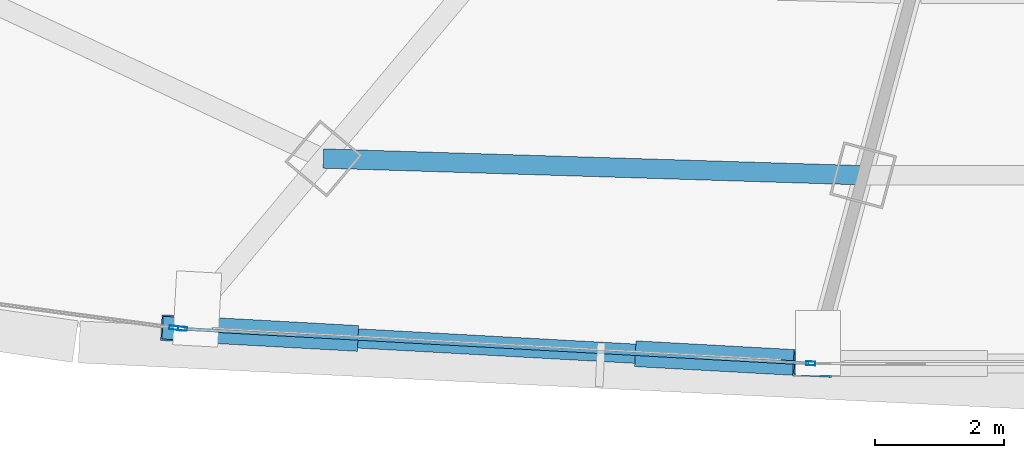
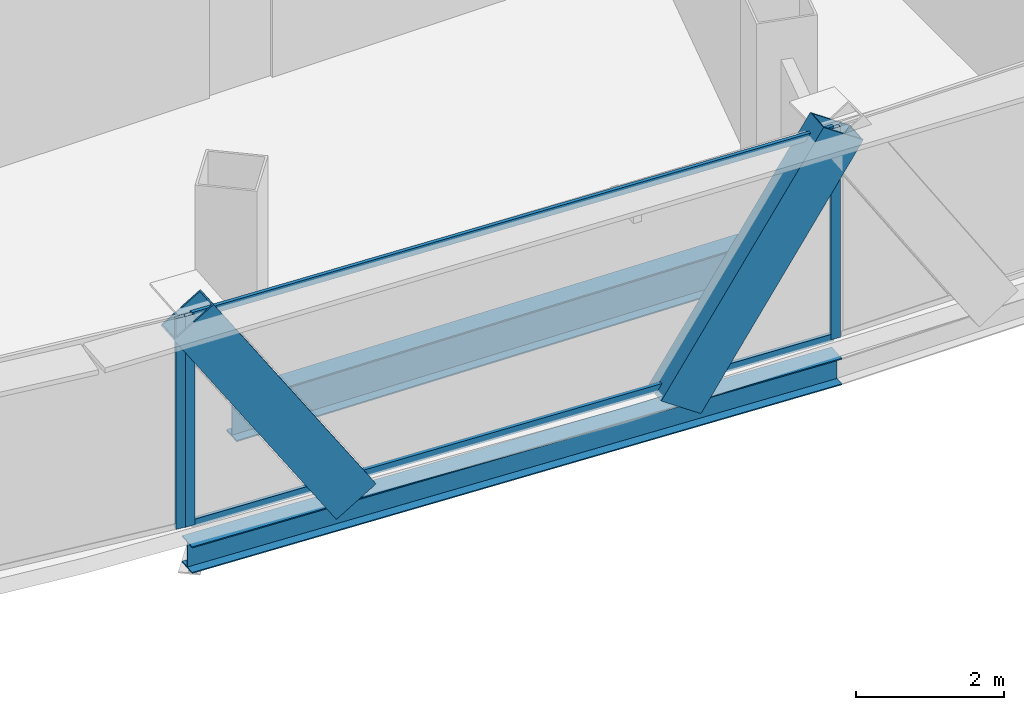
# One storey, part 6 of 35: 7 members, 2 beams, 2 elements without a shape of their own.
"""IFC4 building model written with IfcOpenShell, lengths in metres."""

from ifc_helpers import new_model, si_unit, direction, frame, origin, origin_2d, place, context, subcontext, project, spatial, hollow_rectangle, i_section, extrude, source, transform, mapped, material, layer, layer_set, material_profile, profile_set, type_object, element, aggregate, save


model = new_model("IFC4")

# Units and contexts
model_context = context("Model", 3, precision=1e-05, world=origin(), true_north=direction((0.0, 1.0)))
body_context = subcontext(model_context, "Body", "Model", "MODEL_VIEW")
ifc_project = project(units=[si_unit("LENGTHUNIT", "METRE"), si_unit("AREAUNIT", "SQUARE_METRE"), si_unit("VOLUMEUNIT", "CUBIC_METRE"), si_unit("PLANEANGLEUNIT", "RADIAN"), si_unit("MASSUNIT", "GRAM", prefix="KILO"), si_unit("THERMODYNAMICTEMPERATUREUNIT", "KELVIN"), si_unit("POWERUNIT", "WATT")], contexts=[model_context])

# Site, building, storey
site_placement = place(None, origin())
site = spatial("IfcSite", under=ifc_project, at=site_placement, CompositionType="ELEMENT")
building_placement = place(site_placement, origin())
building = spatial("IfcBuilding", under=site, at=building_placement, Name="Yunzhuo Pagoda Commons", CompositionType="ELEMENT")
storey_placement = place(building_placement, frame((0.0, 0.0, 237.070068359375)))
storey = spatial("IfcBuildingStorey", under=building, at=storey_placement, Name="L59", CompositionType="ELEMENT", Elevation=237.070068359375)

# Beams
ifc_material_1 = material(Name="Structural steel Q355B", Category="steel")
ifc_material_profile_1 = material_profile(ifc_material_1, i_section(OverallWidth=0.300048828125, OverallDepth=0.43994140625, WebThickness=0.010986328125, FlangeThickness=0.01806640625, at=origin_2d()), Name="Structural steel Q355B")
ifc_profile_set_1 = profile_set([ifc_material_profile_1], Name="Structural steel Q355B")
beam_type_1 = type_object("IfcBeamType", Name="B-SP2 Beam HM 440x300x11x18", PredefinedType="BEAM", material=ifc_profile_set_1)
shared_shape_1 = source(origin(), body_context, "Body", "SweptSolid", [
    extrude(i_section(OverallWidth=0.300048828125, OverallDepth=0.43994140625, WebThickness=0.010986328125, FlangeThickness=0.01806640625, at=origin_2d()), origin(), (0.0, 0.0, 1.0), 9.823486328125),
])
beam_1_placement = place(storey_placement, frame((33.377197265625, 16.273681640625, -0.47998046875), z_axis=(0.998486395032, -0.054999263048, 0.0), x_axis=(0.054999263048, 0.998486395032, 0.0)))
element("IfcBeam", 1, at=beam_1_placement, inside=storey, type_object=beam_type_1, Name="L59 facade edge spandrel beam F1.1", PredefinedType="BEAM", context=body_context, shape_type="MappedRepresentation", body=[
    mapped(shared_shape_1, transform((0.0, 0.0, 0.0), scale=1.0)),
])
ifc_material_profile_2 = material_profile(ifc_material_1, i_section(OverallWidth=0.300048828125, OverallDepth=0.64990234375, WebThickness=0.012939453125, FlangeThickness=0.02197265625, at=origin_2d()), Name="Structural steel Q355B")
ifc_profile_set_2 = profile_set([ifc_material_profile_2], Name="Structural steel Q355B")
beam_type_2 = type_object("IfcBeamType", Name="B-RG2 Beam HN 650x300x13x22", PredefinedType="BEAM", material=ifc_profile_set_2)
shared_shape_2 = source(origin(), body_context, "Body", "SweptSolid", [
    extrude(i_section(OverallWidth=0.300048828125, OverallDepth=0.64990234375, WebThickness=0.012939453125, FlangeThickness=0.02197265625, at=origin_2d()), origin(), (0.0, 0.0, 1.0), 8.37939453125),
])
beam_2_placement = place(storey_placement, frame((35.593017578125, 18.913818359375, -0.5849609375), z_axis=(0.999519382133, -0.031000076447, 0.0), x_axis=(0.031000076447, 0.999519382133, 0.0)))
element("IfcBeam", 2, at=beam_2_placement, inside=storey, type_object=beam_type_2, Name="L59 column-ring beam 1", PredefinedType="BEAM", context=body_context, shape_type="MappedRepresentation", body=[
    mapped(shared_shape_2, transform((0.0, 0.0, 0.0), scale=1.0)),
])

# Members
ifc_material_profile_3 = material_profile(ifc_material_1, hollow_rectangle(XDim=0.39990234375, YDim=0.719970703125, WallThickness=0.02392578125, at=origin_2d()), Name="Structural steel Q355B")
ifc_profile_set_3 = profile_set([ifc_material_profile_3], Name="Structural steel Q355B")
member_type_1 = type_object("IfcMemberType", Name="M-DL2 Brace BOX 720x400x24", PredefinedType="BRACE", material=ifc_profile_set_3)
shared_shape_3 = source(origin(), body_context, "Body", "SweptSolid", [
    extrude(hollow_rectangle(XDim=0.39990234375, YDim=0.719970703125, WallThickness=0.02392578125, at=origin_2d()), origin(), (0.0, 0.0, 1.0), 4.4658203125),
])
for number, where, z_axis, x_axis, name in (
    (3, (35.829345703125, 16.138427734375, -0.260009765625), (-0.549085219878, 0.030286062506, 0.835217442184), (-0.05507359548, -0.998482297831, 0.0), "L59 facade diamond brace F1.1L"),
    (4, (40.733642578125, 15.868408203125, -0.260009765625), (0.549086128168, -0.030231444532, 0.835218823791), (0.054974485367, 0.998487759544, 0.0), "L59 facade diamond brace F1.1R"),
):
    element("IfcMember", number, at=place(storey_placement, frame(where, z_axis=z_axis, x_axis=x_axis)), inside=storey, type_object=member_type_1, Name=name, PredefinedType="BRACE", context=body_context, shape_type="MappedRepresentation", body=[
        mapped(shared_shape_3, transform((0.0, 0.0, 0.0), scale=1.0)),
    ])

# Curtain wall, members
ifc_material_2 = material(Name="Anodized aluminium 6063-T6", Category="aluminium")
ifc_layer = layer(ifc_material_2, 0.139892578125)
ifc_layer_set = layer_set([ifc_layer], Name="Anodized aluminium 6063-T6")
curtain_wall_type = type_object("IfcCurtainWallType", Name="CW-HI High-Zone Ribbon Curtain Wall", PredefinedType="NOTDEFINED", material=ifc_layer_set)
curtain_wall_1_placement = place(storey_placement, origin())
curtain_wall_1 = element("IfcCurtainWall", 5, at=curtain_wall_1_placement, inside=storey, type_object=curtain_wall_type, Name="L59 curtain wall CW-L59-F1B2", PredefinedType="NOTDEFINED")
ifc_material_profile_4 = material_profile(ifc_material_2, hollow_rectangle(XDim=0.06005859375, YDim=0.139892578125, WallThickness=0.00341796875, at=origin_2d()), Name="Anodized aluminium 6063-T6")
ifc_profile_set_4 = profile_set([ifc_material_profile_4], Name="Anodized aluminium 6063-T6")
member_type_2 = type_object("IfcMemberType", Name="CW-HI-M Mullion RHS 140x60x3.5", PredefinedType="MULLION", material=ifc_profile_set_4)
shared_shape_4 = source(origin(), body_context, "Body", "SweptSolid", [
    extrude(hollow_rectangle(XDim=0.06005859375, YDim=0.139892578125, WallThickness=0.00341796875, at=origin_2d()), origin(), (0.0, 0.0, 1.0), 3.469970703125),
])
member_1_placement = place(storey_placement, frame((33.4072265625, 16.27197265625, 0.0), z_axis=(0.0, 0.0, 1.0), x_axis=(0.054981193813, 0.998487390169, 0.0)))
member_1 = element("IfcMember", 6, at=member_1_placement, type_object=member_type_2, Name="CW mullion 1", PredefinedType="MULLION", context=body_context, shape_type="MappedRepresentation", body=[
    mapped(shared_shape_4, transform((0.0, 0.0, 0.0), scale=1.0)),
])
member_2_placement = place(storey_placement, frame((43.15576171875, 15.73486328125, 0.0), z_axis=(0.0, 0.0, 1.0), x_axis=(0.054981193813, 0.998487390169, 0.0)))
member_2 = element("IfcMember", 7, at=member_2_placement, type_object=member_type_2, Name="CW mullion 2", PredefinedType="MULLION", context=body_context, shape_type="MappedRepresentation", body=[
    mapped(shared_shape_4, transform((0.0, 0.0, 0.0), scale=1.0)),
])

# Curtain wall, member
curtain_wall_2_placement = place(storey_placement, origin())
curtain_wall_2 = element("IfcCurtainWall", 8, at=curtain_wall_2_placement, inside=storey, type_object=curtain_wall_type, Name="L59 curtain wall CW-L59-F1B1", PredefinedType="NOTDEFINED")
member_3_placement = place(storey_placement, frame((33.273193359375, 16.28759765625, 0.0), z_axis=(0.0, 0.0, 1.0), x_axis=(0.133929585963, 0.990990850616, 0.0)))
member_3 = element("IfcMember", 9, at=member_3_placement, type_object=member_type_2, Name="CW mullion 2", PredefinedType="MULLION", context=body_context, shape_type="MappedRepresentation", body=[
    mapped(shared_shape_4, transform((0.0, 0.0, 0.0), scale=1.0)),
])
aggregate(curtain_wall_2, [member_3])

# Member
ifc_material_profile_5 = material_profile(ifc_material_2, hollow_rectangle(XDim=0.054931640625, YDim=0.1201171875, WallThickness=0.00341796875, at=origin_2d()), Name="Anodized aluminium 6063-T6")
ifc_profile_set_5 = profile_set([ifc_material_profile_5], Name="Anodized aluminium 6063-T6")
member_type_3 = type_object("IfcMemberType", Name="CW-HI-T Transom RHS 120x55x3.5", PredefinedType="USERDEFINED", material=ifc_profile_set_5)
shared_shape_5 = source(origin(), body_context, "Body", "SweptSolid", [
    extrude(hollow_rectangle(XDim=0.054931640625, YDim=0.1201171875, WallThickness=0.00341796875, at=origin_2d()), origin(), (0.0, 0.0, 1.0), 9.703369140625),
])
member_4_placement = place(storey_placement, frame((33.437255859375, 16.270263671875, 0.02734375), z_axis=(0.998486332061, -0.055000406246, 0.0), x_axis=(0.055000406246, 0.998486332061, 0.0)))
member_4 = element("IfcMember", 10, at=member_4_placement, type_object=member_type_3, Name="CW transom 1.1", ObjectType="TRANSOM", PredefinedType="USERDEFINED", context=body_context, shape_type="MappedRepresentation", body=[
    mapped(shared_shape_5, transform((0.0, 0.0, 0.0), scale=1.0)),
])

member_5_placement = place(storey_placement, frame((33.437255859375, 16.270263671875, 3.4423828125), z_axis=(0.998486332061, -0.055000406246, 0.0), x_axis=(0.055000406246, 0.998486332061, 0.0)))
member_5 = element("IfcMember", 11, at=member_5_placement, type_object=member_type_3, Name="CW transom 1.2", ObjectType="TRANSOM", PredefinedType="USERDEFINED", context=body_context, shape_type="MappedRepresentation", body=[
    mapped(shared_shape_5, transform((0.0, 0.0, 0.0), scale=1.0)),
])

aggregate(curtain_wall_1, [member_1, member_2, member_4, member_5])

save(model, "model.ifc")
